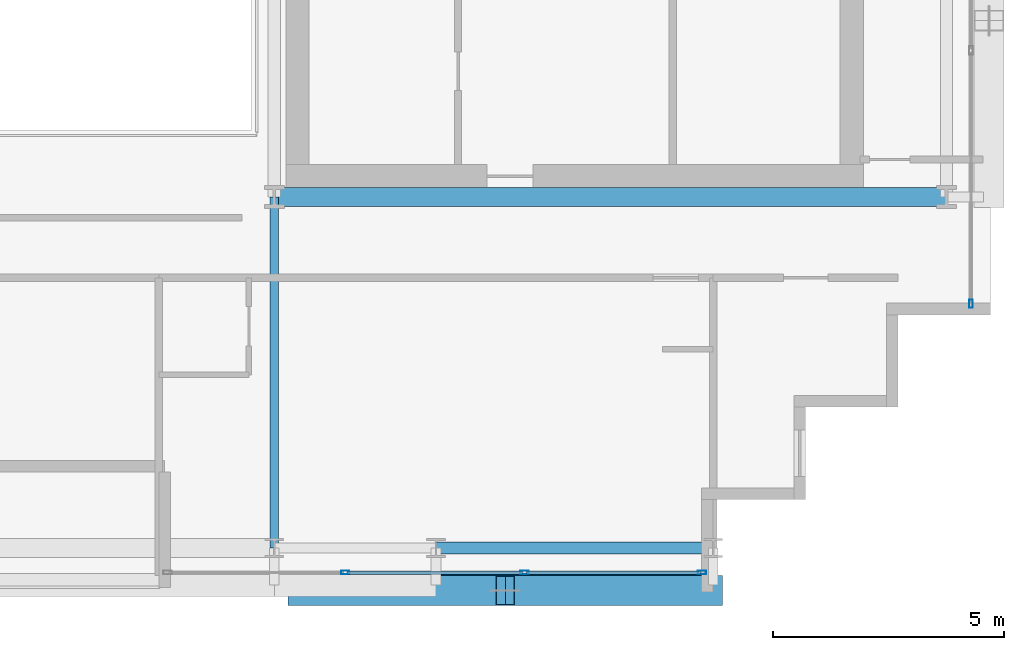
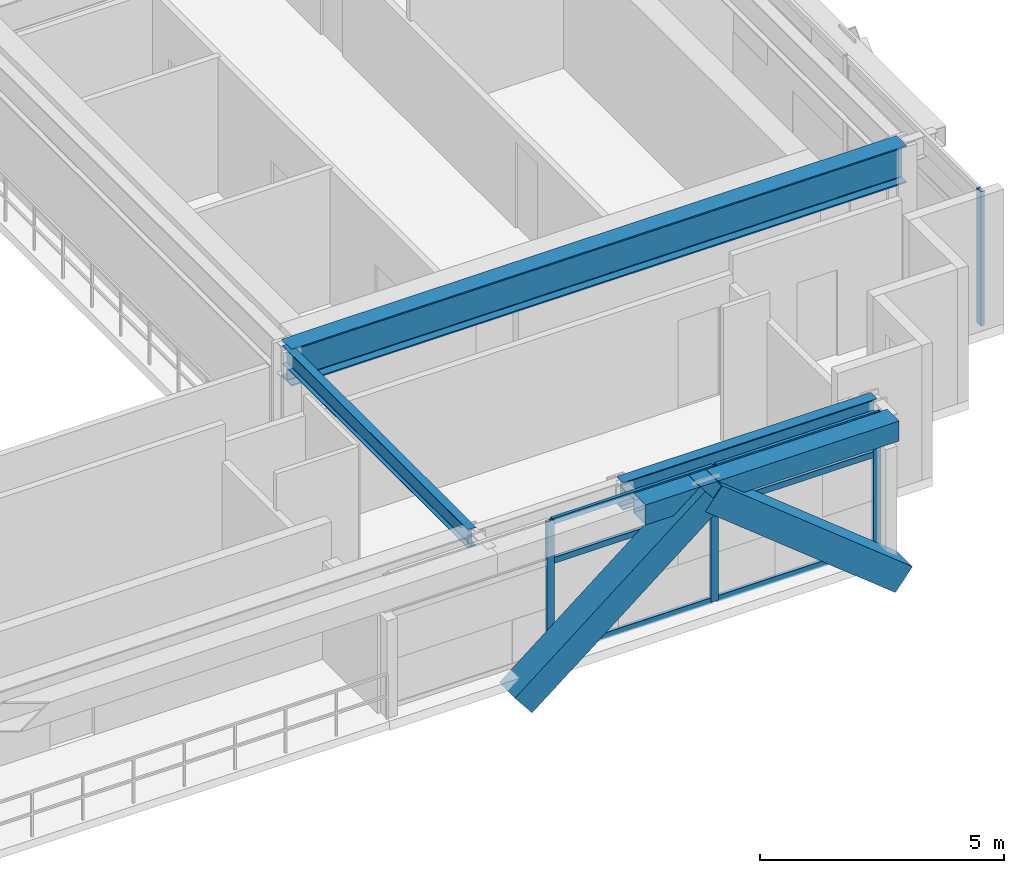
# One storey, part 10 of 30: 12 members, 4 beams, 2 elements without a shape of their own.
"""IFC4 building model written with IfcOpenShell, lengths in metres."""

from ifc_helpers import new_model, si_unit, direction, frame, origin, origin_2d, place, context, subcontext, project, spatial, hollow_rectangle, i_section, extrude, source, transform, mapped, material, layer, layer_set, material_profile, profile_set, type_object, element, aggregate, save


model = new_model("IFC4")

# Units and contexts
model_context = context("Model", 3, precision=1e-05, world=origin(), true_north=direction((0.0, 1.0)))
body_context = subcontext(model_context, "Body", "Model", "MODEL_VIEW")
ifc_project = project(units=[si_unit("LENGTHUNIT", "METRE"), si_unit("AREAUNIT", "SQUARE_METRE"), si_unit("VOLUMEUNIT", "CUBIC_METRE"), si_unit("PLANEANGLEUNIT", "RADIAN"), si_unit("MASSUNIT", "GRAM", prefix="KILO")], contexts=[model_context])

# Site, building, storey
site_placement = place(None, origin())
site = spatial("IfcSite", under=ifc_project, at=site_placement, CompositionType="ELEMENT")
building_placement = place(site_placement, origin())
building = spatial("IfcBuilding", under=site, at=building_placement, Name="Ocotamira Hotel", CompositionType="ELEMENT")
storey_placement = place(building_placement, frame((0.0, 0.0, 195.60009765625)))
storey = spatial("IfcBuildingStorey", under=building, at=storey_placement, Name="L49", CompositionType="ELEMENT", Elevation=195.60009765625)

# Beams
ifc_material_1 = material(Name="Steel ASTM A992 Grade 50", Category="steel")
ifc_material_profile_1 = material_profile(ifc_material_1, i_section(OverallWidth=0.41796875, OverallDepth=0.927001953125, WebThickness=0.019287109375, FlangeThickness=0.031982421875, FilletRadius=0.02392578125, at=origin_2d()), Name="W36X231")
ifc_profile_set_1 = profile_set([ifc_material_profile_1], Name="Steel ASTM A992 Grade 50")
beam_type_1 = type_object("IfcBeamType", Name="BM-GIRD-W36X231", PredefinedType="BEAM", material=ifc_profile_set_1)
shared_shape_1 = source(origin(), body_context, "Body", "SweptSolid", [
    extrude(i_section(OverallWidth=0.41796875, OverallDepth=0.927001953125, WebThickness=0.019287109375, FlangeThickness=0.031982421875, FilletRadius=0.02392578125, at=origin_2d()), origin(), (0.0, 0.0, 1.0), 14.550048828125),
])
beam_1_placement = place(storey_placement, frame((40.5, 14.550048828125, 2.906494140625), z_axis=(1.0, 0.0, 0.0), x_axis=(0.0, 1.0, 0.0)))
element("IfcBeam", 1, at=beam_1_placement, inside=storey, type_object=beam_type_1, Name="L49 Girder Y14.55 X40.5-55.05", PredefinedType="BEAM", context=body_context, shape_type="MappedRepresentation", body=[
    mapped(shared_shape_1, transform((0.0, 0.0, 0.0), scale=1.0)),
])
ifc_material_profile_2 = material_profile(ifc_material_1, i_section(OverallWidth=0.256103515625, OverallDepth=0.693115234375, WebThickness=0.014404296875, FlangeThickness=0.023681640625, FilletRadius=0.01611328125, at=origin_2d()), Name="W27X114")
ifc_profile_set_2 = profile_set([ifc_material_profile_2], Name="Steel ASTM A992 Grade 50")
beam_type_2 = type_object("IfcBeamType", Name="BM-PRIM-W27X114", PredefinedType="BEAM", material=ifc_profile_set_2)
shared_shape_2 = source(origin(), body_context, "Body", "SweptSolid", [
    extrude(i_section(OverallWidth=0.256103515625, OverallDepth=0.693115234375, WebThickness=0.014404296875, FlangeThickness=0.023681640625, FilletRadius=0.01611328125, at=origin_2d()), origin(), (0.0, 0.0, 1.0), 6.0),
])
beam_2_placement = place(storey_placement, frame((44.0, 6.949951171875, 3.0234375), z_axis=(1.0, 0.0, 0.0), x_axis=(0.0, 1.0, 0.0)))
element("IfcBeam", 2, at=beam_2_placement, inside=storey, type_object=beam_type_2, Name="L49 Girder Y6.95 X44-50", PredefinedType="BEAM", context=body_context, shape_type="MappedRepresentation", body=[
    mapped(shared_shape_2, transform((0.0, 0.0, 0.0), scale=1.0)),
])
ifc_material_2 = material(Name="Steel ASTM A500 Grade C", Category="steel")
ifc_material_profile_3 = material_profile(ifc_material_2, hollow_rectangle(XDim=0.5, YDim=0.5, WallThickness=0.02001953125, at=origin_2d()), Name="HSS500X500X20")
ifc_profile_set_3 = profile_set([ifc_material_profile_3], Name="Steel ASTM A500 Grade C")
beam_type_3 = type_object("IfcBeamType", Name="BM-SPAN-HSS500", PredefinedType="USERDEFINED", material=ifc_profile_set_3)
shared_shape_3 = source(origin(), body_context, "Body", "SweptSolid", [
    extrude(hollow_rectangle(XDim=0.5, YDim=0.5, WallThickness=0.02001953125, at=origin_2d()), origin(), (0.0, 0.0, 1.0), 6.0),
])
beam_3_placement = place(storey_placement, frame((44.0, 6.14990234375, 3.119873046875), z_axis=(1.0, 0.0, 0.0), x_axis=(0.0, 1.0, 0.0)))
element("IfcBeam", 3, at=beam_3_placement, inside=storey, type_object=beam_type_3, Name="L49 Edge Spandrel S X44-50", ObjectType="SPANDREL", PredefinedType="USERDEFINED", context=body_context, shape_type="MappedRepresentation", body=[
    mapped(shared_shape_3, transform((0.0, 0.0, 0.0), scale=1.0)),
])
ifc_material_profile_4 = material_profile(ifc_material_1, i_section(OverallWidth=0.18994140625, OverallDepth=0.45703125, WebThickness=0.009033203125, FlangeThickness=0.014404296875, FilletRadius=0.010009765625, at=origin_2d()), Name="W18X50")
ifc_profile_set_4 = profile_set([ifc_material_profile_4], Name="Steel ASTM A992 Grade 50")
beam_type_4 = type_object("IfcBeamType", Name="BM-SEC-W18X50", PredefinedType="JOIST", material=ifc_profile_set_4)
shared_shape_4 = source(origin(), body_context, "Body", "SweptSolid", [
    extrude(i_section(OverallWidth=0.18994140625, OverallDepth=0.45703125, WebThickness=0.009033203125, FlangeThickness=0.014404296875, FilletRadius=0.010009765625, at=origin_2d()), origin(), (0.0, 0.0, 1.0), 7.60009765625),
])
beam_4_placement = place(storey_placement, frame((40.5, 6.949951171875, 3.141357421875), z_axis=(0.0, 1.0, 0.0), x_axis=(-1.0, 0.0, 0.0)))
element("IfcBeam", 4, at=beam_4_placement, inside=storey, type_object=beam_type_4, Name="L49 Beam X40.5 Y6.95-14.55", PredefinedType="JOIST", context=body_context, shape_type="MappedRepresentation", body=[
    mapped(shared_shape_4, transform((0.0, 0.0, 0.0), scale=1.0)),
])

# Members
ifc_material_3 = material(Name="Pale-metal coated steel ASTM A913 Grade 65", Category="steel")
ifc_material_profile_5 = material_profile(ifc_material_3, hollow_rectangle(XDim=0.64990234375, YDim=0.64990234375, WallThickness=0.02197265625, at=origin_2d()), Name="BOX650X650X22")
ifc_profile_set_5 = profile_set([ifc_material_profile_5], Name="Pale-metal coated steel ASTM A913 Grade 65")
member_type_1 = type_object("IfcMemberType", Name="MEM-EXO-BOX650", PredefinedType="BRACE", material=ifc_profile_set_5)
shared_shape_5 = source(origin(), body_context, "Body", "SweptSolid", [
    extrude(hollow_rectangle(XDim=0.64990234375, YDim=0.64990234375, WallThickness=0.02197265625, at=origin_2d()), origin(), (0.0, 0.0, 1.0), 5.7626953125),
])
for number, where, z_axis, x_axis, name in (
    (5, (41.0, 6.030029296875, -0.47998046875), (0.780881208953, 0.0, 0.624679547852), (0.0, 1.0, 0.0), "L49 Exoskeleton Diagrid S3.1"),
    (6, (50.0, 6.030029296875, -0.47998046875), (-0.780881208953, 0.0, 0.624679547852), (0.0, -1.0, 0.0), "L49 Exoskeleton Diagrid S3.2"),
):
    element("IfcMember", number, at=place(storey_placement, frame(where, z_axis=z_axis, x_axis=x_axis)), inside=storey, type_object=member_type_1, Name=name, PredefinedType="BRACE", context=body_context, shape_type="MappedRepresentation", body=[
        mapped(shared_shape_5, transform((0.0, 0.0, 0.0), scale=1.0)),
    ])

# Curtain wall, members
ifc_material_4 = material(Name="Anodised pale-metal aluminium and solar glass", Category="aluminium")
ifc_layer = layer(ifc_material_4, 0.199951171875)
ifc_layer_set = layer_set([ifc_layer], Name="Anodised pale-metal aluminium and solar glass")
curtain_wall_type = type_object("IfcCurtainWallType", Name="CW-SYS4-Z3", PredefinedType="NOTDEFINED", material=ifc_layer_set)
curtain_wall_1_placement = place(storey_placement, origin())
curtain_wall_1 = element("IfcCurtainWall", 7, at=curtain_wall_1_placement, inside=storey, type_object=curtain_wall_type, Name="L49 Curtain Wall CW-4 CW-L49-S2", PredefinedType="NOTDEFINED")
ifc_material_5 = material(Name="Anodised pale-metal aluminium 6063-T6", Category="aluminium")
ifc_material_profile_6 = material_profile(ifc_material_5, hollow_rectangle(XDim=0.080078125, YDim=0.179931640625, WallThickness=0.006103515625, at=origin_2d()), Name="HSS180X80X6")
ifc_profile_set_6 = profile_set([ifc_material_profile_6], Name="Anodised pale-metal aluminium 6063-T6")
member_type_2 = type_object("IfcMemberType", Name="CWM-180X75", PredefinedType="MULLION", material=ifc_profile_set_6)
shared_shape_6 = source(origin(), body_context, "Body", "SweptSolid", [
    extrude(hollow_rectangle(XDim=0.080078125, YDim=0.179931640625, WallThickness=0.006103515625, at=origin_2d()), origin(), (0.0, 0.0, 1.0), 3.369873046875),
])
member_1_placement = place(storey_placement, frame((42.033447265625, 6.419921875, 0.0), z_axis=(0.0, 0.0, 1.0), x_axis=(0.0, 1.0, 0.0)))
member_1 = element("IfcMember", 8, at=member_1_placement, type_object=member_type_2, Name="CW-4 mullion 2", PredefinedType="MULLION", context=body_context, shape_type="MappedRepresentation", body=[
    mapped(shared_shape_6, transform((0.0, 0.0, 0.0), scale=1.0)),
])
member_2_placement = place(storey_placement, frame((45.916748046875, 6.419921875, 0.0), z_axis=(0.0, 0.0, 1.0), x_axis=(0.0, 1.0, 0.0)))
member_2 = element("IfcMember", 9, at=member_2_placement, type_object=member_type_2, Name="CW-4 mullion 3", PredefinedType="MULLION", context=body_context, shape_type="MappedRepresentation", body=[
    mapped(shared_shape_6, transform((0.0, 0.0, 0.0), scale=1.0)),
])
member_3_placement = place(storey_placement, frame((49.760009765625, 6.419921875, 0.0), z_axis=(0.0, 0.0, 1.0), x_axis=(0.0, 1.0, 0.0)))
member_3 = element("IfcMember", 10, at=member_3_placement, type_object=member_type_2, Name="CW-4 mullion 4", PredefinedType="MULLION", context=body_context, shape_type="MappedRepresentation", body=[
    mapped(shared_shape_6, transform((0.0, 0.0, 0.0), scale=1.0)),
])

# Curtain wall, member
curtain_wall_2_placement = place(storey_placement, origin())
curtain_wall_2 = element("IfcCurtainWall", 11, at=curtain_wall_2_placement, inside=storey, type_object=curtain_wall_type, Name="L49 Curtain Wall CW-4 CW-L49-E", PredefinedType="NOTDEFINED")
member_4_placement = place(storey_placement, frame((55.580078125, 12.239990234375, 0.0), z_axis=(0.0, 0.0, 1.0), x_axis=(-1.0, 0.0, 0.0)))
member_4 = element("IfcMember", 12, at=member_4_placement, type_object=member_type_2, Name="CW-4 mullion 1", PredefinedType="MULLION", context=body_context, shape_type="MappedRepresentation", body=[
    mapped(shared_shape_6, transform((0.0, 0.0, 0.0), scale=1.0)),
])
aggregate(curtain_wall_2, [member_4])

# Member
ifc_material_profile_7 = material_profile(ifc_material_5, hollow_rectangle(XDim=0.074951171875, YDim=0.14990234375, WallThickness=0.006103515625, at=origin_2d()), Name="HSS150X75X6")
ifc_profile_set_7 = profile_set([ifc_material_profile_7], Name="Anodised pale-metal aluminium 6063-T6")
member_type_3 = type_object("IfcMemberType", Name="CWT-150X75", PredefinedType="USERDEFINED", material=ifc_profile_set_7)
shared_shape_7 = source(origin(), body_context, "Body", "SweptSolid", [
    extrude(hollow_rectangle(XDim=0.074951171875, YDim=0.14990234375, WallThickness=0.006103515625, at=origin_2d()), origin(), (0.0, 0.0, 1.0), 3.76318359375),
])
member_5_placement = place(storey_placement, frame((45.956787109375, 6.419921875, 0.037353515625), z_axis=(1.0, 0.0, 0.0), x_axis=(0.0, 1.0, 0.0)))
member_5 = element("IfcMember", 13, at=member_5_placement, type_object=member_type_3, Name="CW-4 transom 3.1", ObjectType="TRANSOM", PredefinedType="USERDEFINED", context=body_context, shape_type="MappedRepresentation", body=[
    mapped(shared_shape_7, transform((0.0, 0.0, 0.0), scale=1.0)),
])

member_6_placement = place(storey_placement, frame((45.956787109375, 6.419921875, 2.349853515625), z_axis=(1.0, 0.0, 0.0), x_axis=(0.0, 1.0, 0.0)))
member_6 = element("IfcMember", 14, at=member_6_placement, type_object=member_type_3, Name="CW-4 transom 3.2", ObjectType="TRANSOM", PredefinedType="USERDEFINED", context=body_context, shape_type="MappedRepresentation", body=[
    mapped(shared_shape_7, transform((0.0, 0.0, 0.0), scale=1.0)),
])

member_7_placement = place(storey_placement, frame((45.956787109375, 6.419921875, 3.33251953125), z_axis=(1.0, 0.0, 0.0), x_axis=(0.0, 1.0, 0.0)))
member_7 = element("IfcMember", 15, at=member_7_placement, type_object=member_type_3, Name="CW-4 transom 3.3", ObjectType="TRANSOM", PredefinedType="USERDEFINED", context=body_context, shape_type="MappedRepresentation", body=[
    mapped(shared_shape_7, transform((0.0, 0.0, 0.0), scale=1.0)),
])

shared_shape_8 = source(origin(), body_context, "Body", "SweptSolid", [
    extrude(hollow_rectangle(XDim=0.074951171875, YDim=0.14990234375, WallThickness=0.006103515625, at=origin_2d()), origin(), (0.0, 0.0, 1.0), 3.803466796875),
])
member_8_placement = place(storey_placement, frame((42.0732421875, 6.419921875, 0.037353515625), z_axis=(1.0, 0.0, 0.0), x_axis=(0.0, 1.0, 0.0)))
member_8 = element("IfcMember", 16, at=member_8_placement, type_object=member_type_3, Name="CW-4 transom 2.1", ObjectType="TRANSOM", PredefinedType="USERDEFINED", context=body_context, shape_type="MappedRepresentation", body=[
    mapped(shared_shape_8, transform((0.0, 0.0, 0.0), scale=1.0)),
])

member_9_placement = place(storey_placement, frame((42.0732421875, 6.419921875, 2.349853515625), z_axis=(1.0, 0.0, 0.0), x_axis=(0.0, 1.0, 0.0)))
member_9 = element("IfcMember", 17, at=member_9_placement, type_object=member_type_3, Name="CW-4 transom 2.2", ObjectType="TRANSOM", PredefinedType="USERDEFINED", context=body_context, shape_type="MappedRepresentation", body=[
    mapped(shared_shape_8, transform((0.0, 0.0, 0.0), scale=1.0)),
])

member_10_placement = place(storey_placement, frame((42.0732421875, 6.419921875, 3.33251953125), z_axis=(1.0, 0.0, 0.0), x_axis=(0.0, 1.0, 0.0)))
member_10 = element("IfcMember", 18, at=member_10_placement, type_object=member_type_3, Name="CW-4 transom 2.3", ObjectType="TRANSOM", PredefinedType="USERDEFINED", context=body_context, shape_type="MappedRepresentation", body=[
    mapped(shared_shape_8, transform((0.0, 0.0, 0.0), scale=1.0)),
])

aggregate(curtain_wall_1, [member_1, member_2, member_3, member_8, member_9, member_10, member_5, member_6, member_7])

save(model, "model.ifc")
